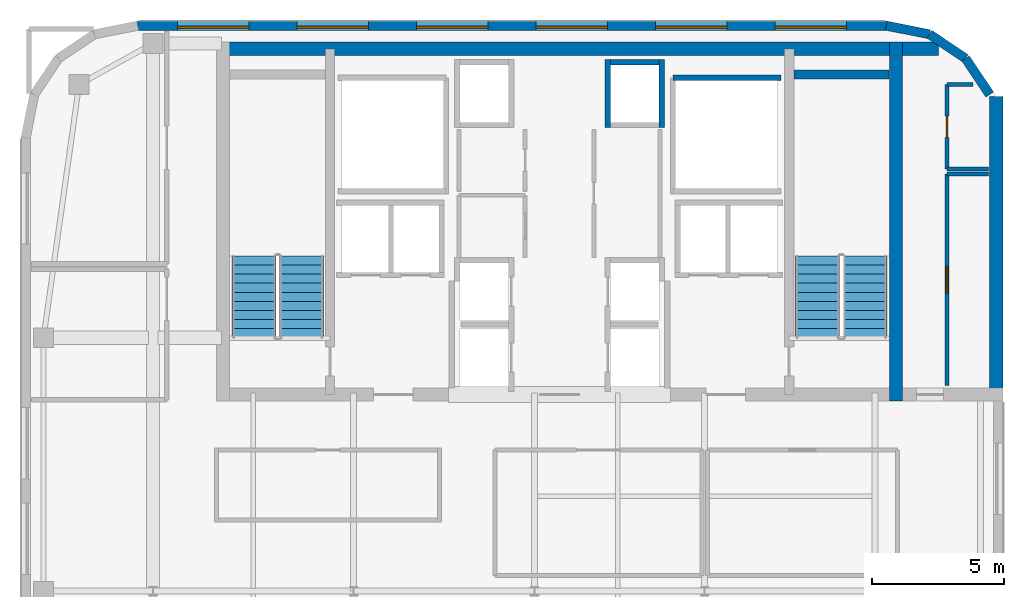
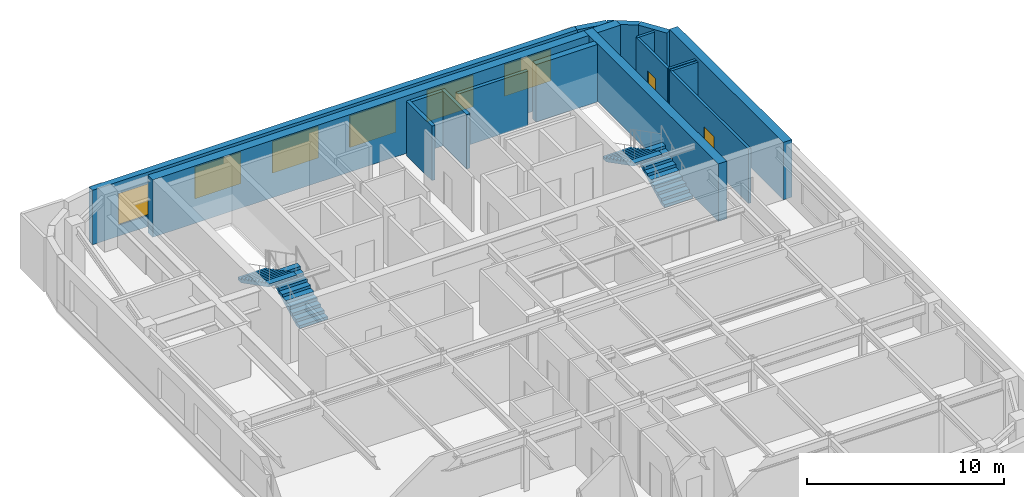
# One storey, part 7 of 11: 18 walls, 6 windows, 4 stair flights, 2 doors, 8 openings, 2 elements without a shape of their own.
"""IFC4 building model written with IfcOpenShell, lengths in metres."""

from ifc_helpers import new_model, si_unit, direction, frame, frame_2d, origin, place, context, subcontext, project, spatial, polyline, rectangle, outline, extrude, source, transform, mapped, material, layer, layer_set, type_object, type_shapes, element, fill, aggregate, save


model = new_model("IFC4")

# Units and contexts
model_context = context("Model", 3, precision=1e-05, world=origin(), true_north=direction((0.0, 1.0)))
body_context = subcontext(model_context, "Body", "Model", "MODEL_VIEW")
ifc_project = project(units=[si_unit("LENGTHUNIT", "METRE"), si_unit("AREAUNIT", "SQUARE_METRE"), si_unit("VOLUMEUNIT", "CUBIC_METRE"), si_unit("PLANEANGLEUNIT", "RADIAN"), si_unit("MASSUNIT", "GRAM", prefix="KILO")], contexts=[model_context])

# Site, building, storey
site_placement = place(None, origin())
site = spatial("IfcSite", under=ifc_project, at=site_placement, CompositionType="ELEMENT")
building_placement = place(site_placement, origin())
building = spatial("IfcBuilding", under=site, at=building_placement, Name="Tolvann Quenvar Hotel", CompositionType="ELEMENT")
storey_placement = place(building_placement, frame((0.0, 0.0, 234.550048828125)))
storey = spatial("IfcBuildingStorey", under=building, at=storey_placement, Name="L62", CompositionType="ELEMENT", Elevation=234.550048828125)

# Walls
ifc_material_1 = material(Name="Concrete N50 (50 MPa)", Category="concrete")
ifc_layer_1 = layer(ifc_material_1, 0.5)
ifc_layer_set_1 = layer_set([ifc_layer_1], Name="Concrete N50 (50 MPa)")
wall_type_1 = type_object("IfcWallType", Name="WALL_CORE_500", PredefinedType="SHEAR", material=ifc_layer_set_1)
wall_1_placement = place(storey_placement, frame((10.0, 44.949951171875, 0.0), z_axis=(0.0, 0.0, 1.0), x_axis=(1.0, 0.0, 0.0)))
element("IfcWall", 1, at=wall_1_placement, inside=storey, type_object=wall_type_1, Name="Rear Core N Shear Wall (L62)", PredefinedType="SHEAR", context=body_context, shape_type="SweptSolid", body=[
    extrude(rectangle(XDim=26.0, YDim=0.5, at=frame_2d((13.0, 0.0))), origin(), (0.0, 0.0, 1.0), 3.550048828125),
])
wall_2_placement = place(storey_placement, frame((35.75, 31.60009765625, 0.0), z_axis=(0.0, 0.0, 1.0), x_axis=(0.0, 1.0, 0.0)))
element("IfcWall", 2, at=wall_2_placement, inside=storey, type_object=wall_type_1, Name="Rear Core E Shear Wall (L62)", PredefinedType="SHEAR", context=body_context, shape_type="SweptSolid", body=[
    extrude(rectangle(XDim=13.599853515625, YDim=0.5, at=frame_2d((6.7998046875, 0.0))), origin(), (0.0, 0.0, 1.0), 3.550048828125),
])
wall_3_placement = place(storey_placement, frame((36.0, 44.949951171875, 0.0), z_axis=(0.0, 0.0, 1.0), x_axis=(1.0, 0.0, 0.0)))
element("IfcWall", 3, at=wall_3_placement, inside=storey, type_object=wall_type_1, Name="Core East Annex Shear Wall ANN-N (L62)", PredefinedType="SHEAR", context=body_context, shape_type="SweptSolid", body=[
    extrude(rectangle(XDim=1.35009765625, YDim=0.5, at=frame_2d((0.675048828125, 0.0))), origin(), (0.0, 0.0, 1.0), 3.550048828125),
])
wall_4_placement = place(storey_placement, frame((39.550048828125, 31.60009765625, 0.0), z_axis=(0.0, 0.0, 1.0), x_axis=(0.0, 1.0, 0.0)))
element("IfcWall", 4, at=wall_4_placement, inside=storey, type_object=wall_type_1, Name="Core East Annex Shear Wall ANN-E (L62)", PredefinedType="SHEAR", context=body_context, shape_type="SweptSolid", body=[
    extrude(rectangle(XDim=11.5498046875, YDim=0.5, at=frame_2d((5.77490234375, 0.0))), origin(), (0.0, 0.0, 1.0), 3.550048828125),
])
ifc_material_2 = material(Name="Concrete S65 (65 MPa)", Category="concrete")
ifc_layer_2 = layer(ifc_material_2, 0.35009765625)
ifc_layer_set_2 = layer_set([ifc_layer_2], Name="Concrete S65 (65 MPa)")
wall_type_2 = type_object("IfcWallType", Name="WALL_CORE_INT_350", PredefinedType="SHEAR", material=ifc_layer_set_2)
wall_5_placement = place(storey_placement, frame((31.8798828125, 43.97509765625, 0.0), z_axis=(0.0, 0.0, 1.0), x_axis=(1.0, 0.0, 0.0)))
element("IfcWall", 5, at=wall_5_placement, inside=storey, type_object=wall_type_2, Name="Core Stair North Closing Shear Wall STC2-N (L62)", PredefinedType="SHEAR", context=body_context, shape_type="SweptSolid", body=[
    extrude(rectangle(XDim=3.60009765625, YDim=0.35009765625, at=frame_2d((1.800048828125, 0.0))), origin(), (0.0, 0.0, 1.0), 3.550048828125),
])
ifc_material_3 = material(Name="Kiln-fired red and buff architectural clay brickwork and terracotta masonry", Category="masonry")
ifc_layer_3 = layer(ifc_material_3, 0.35009765625)
ifc_layer_set_3 = layer_set([ifc_layer_3], Name="Kiln-fired red and buff architectural clay brickwork and terracotta masonry")
wall_type_3 = type_object("IfcWallType", Name="WALL_EXT_BRICK_350", PredefinedType="SOLIDWALL", material=ifc_layer_set_3)
for number, where, z_axis, x_axis, name in (
    (6, (39.30029296875, 43.215576171875, 0.0), (0.0, 0.0, 1.0), (-0.555623290322, 0.831434158098, 0.0), "Exterior Chicago Brick Wall L62-E11"),
    (7, (38.385009765625, 44.585205078125, 0.0), (0.0, 0.0, 1.0), (-0.831502623162, 0.555520825599, 0.0), "Exterior Chicago Brick Wall L62-E12"),
):
    element("IfcWall", number, at=place(storey_placement, frame(where, z_axis=z_axis, x_axis=x_axis)), inside=storey, type_object=wall_type_3, Name=name, PredefinedType="SOLIDWALL", context=body_context, shape_type="SweptSolid", body=[
        extrude(rectangle(XDim=1.647216796875, YDim=0.35009765625, at=frame_2d((0.82373046875, 0.0))), origin(), (0.0, 0.0, 1.0), 3.369873046875),
    ])
wall_6_placement = place(storey_placement, frame((37.015380859375, 45.500244140625, 0.0), z_axis=(0.0, 0.0, 1.0), x_axis=(-0.980788844421, 0.195072403631, 0.0)))
element("IfcWall", 8, at=wall_6_placement, inside=storey, type_object=wall_type_3, Name="Exterior Chicago Brick Wall L62-E13", PredefinedType="SOLIDWALL", context=body_context, shape_type="SweptSolid", body=[
    extrude(rectangle(XDim=1.66455078125, YDim=0.35009765625, at=frame_2d((0.832275390625, 0.0))), origin(), (0.0, 0.0, 1.0), 3.369873046875),
])

# Wall, openings, windows
wall_7_placement = place(storey_placement, frame((35.3828125, 45.824951171875, 0.0), z_axis=(0.0, 0.0, 1.0), x_axis=(-1.0, 0.0, 0.0)))
wall_7 = element("IfcWall", 9, at=wall_7_placement, inside=storey, type_object=wall_type_3, Name="Exterior Chicago Brick Wall L62-E14", PredefinedType="SOLIDWALL", context=body_context, shape_type="SweptSolid", body=[
    extrude(rectangle(XDim=28.36572265625, YDim=0.35009765625, at=frame_2d((14.182861328125, 0.0))), origin(), (0.0, 0.0, 1.0), 3.369873046875),
])
opening_1_placement = place(wall_7_placement, frame((1.513916015625, 0.0, 0.679931640625)))
opening_1 = element("IfcOpeningElement", 10, at=opening_1_placement, cuts=wall_7, Name="Opening W-04", PredefinedType="OPENING", context=body_context, shape_type="SweptSolid", body=[
    extrude(rectangle(XDim=2.699951171875, YDim=1.949951171875, at=frame_2d((1.35009765625, 0.97509765625))), frame((0.0, 0.18505859375, 0.0), z_axis=(0.0, -1.0, 0.0), x_axis=(1.0, 0.0, 0.0)), (0.0, 0.0, 1.0), 0.3701171875),
])
opening_2_placement = place(wall_7_placement, frame((6.041015625, 0.0, 0.679931640625)))
opening_2 = element("IfcOpeningElement", 11, at=opening_2_placement, cuts=wall_7, Name="Opening W-04", PredefinedType="OPENING", context=body_context, shape_type="SweptSolid", body=[
    extrude(rectangle(XDim=2.699951171875, YDim=1.949951171875, at=frame_2d((1.35009765625, 0.97509765625))), frame((0.0, 0.18505859375, 0.0), z_axis=(0.0, -1.0, 0.0), x_axis=(1.0, 0.0, 0.0)), (0.0, 0.0, 1.0), 0.3701171875),
])
opening_3_placement = place(wall_7_placement, frame((10.569091796875, 0.0, 0.679931640625)))
opening_3 = element("IfcOpeningElement", 12, at=opening_3_placement, cuts=wall_7, Name="Opening W-04", PredefinedType="OPENING", context=body_context, shape_type="SweptSolid", body=[
    extrude(rectangle(XDim=2.699951171875, YDim=1.949951171875, at=frame_2d((1.35009765625, 0.97509765625))), frame((0.0, 0.18505859375, 0.0), z_axis=(0.0, -1.0, 0.0), x_axis=(1.0, 0.0, 0.0)), (0.0, 0.0, 1.0), 0.3701171875),
])
opening_4_placement = place(wall_7_placement, frame((15.096923828125, 0.0, 0.679931640625)))
opening_4 = element("IfcOpeningElement", 13, at=opening_4_placement, cuts=wall_7, Name="Opening W-04", PredefinedType="OPENING", context=body_context, shape_type="SweptSolid", body=[
    extrude(rectangle(XDim=2.699951171875, YDim=1.949951171875, at=frame_2d((1.35009765625, 0.97509765625))), frame((0.0, 0.18505859375, 0.0), z_axis=(0.0, -1.0, 0.0), x_axis=(1.0, 0.0, 0.0)), (0.0, 0.0, 1.0), 0.3701171875),
])
opening_5_placement = place(wall_7_placement, frame((19.6240234375, 0.0, 0.679931640625)))
opening_5 = element("IfcOpeningElement", 14, at=opening_5_placement, cuts=wall_7, Name="Opening W-04", PredefinedType="OPENING", context=body_context, shape_type="SweptSolid", body=[
    extrude(rectangle(XDim=2.699951171875, YDim=1.949951171875, at=frame_2d((1.35009765625, 0.97509765625))), frame((0.0, 0.18505859375, 0.0), z_axis=(0.0, -1.0, 0.0), x_axis=(1.0, 0.0, 0.0)), (0.0, 0.0, 1.0), 0.3701171875),
])
opening_6_placement = place(wall_7_placement, frame((24.152099609375, 0.0, 0.679931640625)))
opening_6 = element("IfcOpeningElement", 15, at=opening_6_placement, cuts=wall_7, Name="Opening W-04", PredefinedType="OPENING", context=body_context, shape_type="SweptSolid", body=[
    extrude(rectangle(XDim=2.699951171875, YDim=1.949951171875, at=frame_2d((1.35009765625, 0.97509765625))), frame((0.0, 0.18505859375, 0.0), z_axis=(0.0, -1.0, 0.0), x_axis=(1.0, 0.0, 0.0)), (0.0, 0.0, 1.0), 0.3701171875),
])
ifc_material_4 = material(Name="Thermally broken bronze-anodised aluminium frame with double low-E glazing", Category="aluminium")
window_type = type_object("IfcWindowType", Name="WIN_STE_2700x2150", PartitioningType="TRIPLE_PANEL_HORIZONTAL", PredefinedType="WINDOW", material=ifc_material_4)
shared_shape_1 = source(origin(), body_context, "Body", "SweptSolid", [
    extrude(rectangle(XDim=2.699951171875, YDim=1.949951171875, at=frame_2d((1.35009765625, 0.97509765625))), frame((0.0, 0.090087890625, 0.0), z_axis=(0.0, -1.0, 0.0), x_axis=(1.0, 0.0, 0.0)), (0.0, 0.0, 1.0), 0.06005859375),
])
type_shapes(window_type, [shared_shape_1])
window_1_placement = place(opening_1_placement, origin())
window_1 = element("IfcWindow", 16, at=window_1_placement, inside=storey, type_object=window_type, Name="Chicago Window W-04 (EW-L62-E14-W01)", OverallHeight=1.949951171875, OverallWidth=2.699951171875, PartitioningType="TRIPLE_PANEL_HORIZONTAL", PredefinedType="WINDOW", context=body_context, shape_type="MappedRepresentation", body=[
    mapped(shared_shape_1, transform((0.0, 0.0, 0.0), x_axis=(1.0, 0.0, 0.0), y_axis=(0.0, 1.0, 0.0), z_axis=(0.0, 0.0, 1.0), scale=1.0)),
])
fill(opening_1, window_1)
window_2_placement = place(opening_2_placement, origin())
window_2 = element("IfcWindow", 17, at=window_2_placement, inside=storey, type_object=window_type, Name="Chicago Window W-04 (EW-L62-E14-W02)", OverallHeight=1.949951171875, OverallWidth=2.699951171875, PartitioningType="TRIPLE_PANEL_HORIZONTAL", PredefinedType="WINDOW", context=body_context, shape_type="MappedRepresentation", body=[
    mapped(shared_shape_1, transform((0.0, 0.0, 0.0), x_axis=(1.0, 0.0, 0.0), y_axis=(0.0, 1.0, 0.0), z_axis=(0.0, 0.0, 1.0), scale=1.0)),
])
fill(opening_2, window_2)
window_3_placement = place(opening_3_placement, origin())
window_3 = element("IfcWindow", 18, at=window_3_placement, inside=storey, type_object=window_type, Name="Chicago Window W-04 (EW-L62-E14-W03)", OverallHeight=1.949951171875, OverallWidth=2.699951171875, PartitioningType="TRIPLE_PANEL_HORIZONTAL", PredefinedType="WINDOW", context=body_context, shape_type="MappedRepresentation", body=[
    mapped(shared_shape_1, transform((0.0, 0.0, 0.0), x_axis=(1.0, 0.0, 0.0), y_axis=(0.0, 1.0, 0.0), z_axis=(0.0, 0.0, 1.0), scale=1.0)),
])
fill(opening_3, window_3)
window_4_placement = place(opening_4_placement, origin())
window_4 = element("IfcWindow", 19, at=window_4_placement, inside=storey, type_object=window_type, Name="Chicago Window W-04 (EW-L62-E14-W04)", OverallHeight=1.949951171875, OverallWidth=2.699951171875, PartitioningType="TRIPLE_PANEL_HORIZONTAL", PredefinedType="WINDOW", context=body_context, shape_type="MappedRepresentation", body=[
    mapped(shared_shape_1, transform((0.0, 0.0, 0.0), x_axis=(1.0, 0.0, 0.0), y_axis=(0.0, 1.0, 0.0), z_axis=(0.0, 0.0, 1.0), scale=1.0)),
])
fill(opening_4, window_4)
window_5_placement = place(opening_5_placement, origin())
window_5 = element("IfcWindow", 20, at=window_5_placement, inside=storey, type_object=window_type, Name="Chicago Window W-04 (EW-L62-E14-W05)", OverallHeight=1.949951171875, OverallWidth=2.699951171875, PartitioningType="TRIPLE_PANEL_HORIZONTAL", PredefinedType="WINDOW", context=body_context, shape_type="MappedRepresentation", body=[
    mapped(shared_shape_1, transform((0.0, 0.0, 0.0), x_axis=(1.0, 0.0, 0.0), y_axis=(0.0, 1.0, 0.0), z_axis=(0.0, 0.0, 1.0), scale=1.0)),
])
fill(opening_5, window_5)
window_6_placement = place(opening_6_placement, origin())
window_6 = element("IfcWindow", 21, at=window_6_placement, inside=storey, type_object=window_type, Name="Chicago Window W-04 (EW-L62-E14-W06)", OverallHeight=1.949951171875, OverallWidth=2.699951171875, PartitioningType="TRIPLE_PANEL_HORIZONTAL", PredefinedType="WINDOW", context=body_context, shape_type="MappedRepresentation", body=[
    mapped(shared_shape_1, transform((0.0, 0.0, 0.0), x_axis=(1.0, 0.0, 0.0), y_axis=(0.0, 1.0, 0.0), z_axis=(0.0, 0.0, 1.0), scale=1.0)),
])
fill(opening_6, window_6)

# Wall
ifc_material_5 = material(Name="Acoustic twin-stud fire-rated gypsum plasterboard partition")
ifc_layer_4 = layer(ifc_material_5, 0.14990234375)
ifc_layer_set_4 = layer_set([ifc_layer_4], Name="Acoustic twin-stud fire-rated gypsum plasterboard partition")
wall_type_4 = type_object("IfcWallType", Name="WALL_PART_SUITE_150", PredefinedType="PARTITIONING", material=ifc_layer_set_4)
wall_8_placement = place(storey_placement, frame((37.679931640625, 40.199951171875, 0.0), z_axis=(0.0, 0.0, 1.0), x_axis=(1.0, 0.0, 0.0)))
element("IfcWall", 22, at=wall_8_placement, inside=storey, type_object=wall_type_4, Name="Interior Partition PT-SPC-L62-RECPL-1-N", PredefinedType="PARTITIONING", context=body_context, shape_type="SweptSolid", body=[
    extrude(rectangle(XDim=1.565185546875, YDim=0.14990234375, at=frame_2d((0.78271484375, 0.0))), origin(), (0.0, 0.0, 1.0), 3.369873046875),
])

# Wall, opening, door
wall_9_placement = place(storey_placement, frame((37.679931640625, 32.199951171875, 0.0), z_axis=(0.0, 0.0, 1.0), x_axis=(0.0, 1.0, 0.0)))
wall_9 = element("IfcWall", 23, at=wall_9_placement, inside=storey, type_object=wall_type_4, Name="Interior Partition PT-SPC-L62-RECPL-1-W", PredefinedType="PARTITIONING", context=body_context, shape_type="SweptSolid", body=[
    extrude(rectangle(XDim=8.0, YDim=0.14990234375, at=frame_2d((4.0, 0.0))), origin(), (0.0, 0.0, 1.0), 3.369873046875),
])
opening_7_placement = place(wall_9_placement, frame((3.489990234375, 0.0, 0.0)))
opening_7 = element("IfcOpeningElement", 24, at=opening_7_placement, cuts=wall_9, Name="Opening HD-01", PredefinedType="OPENING", context=body_context, shape_type="SweptSolid", body=[
    extrude(rectangle(XDim=1.02001953125, YDim=2.030029296875, at=frame_2d((0.510009765625, 1.01513671875))), frame((0.0, 0.0849609375, 0.0), z_axis=(0.0, -1.0, 0.0), x_axis=(1.0, 0.0, 0.0)), (0.0, 0.0, 1.0), 0.169921875),
])
ifc_material_6 = material(Name="Pressed galvanised steel fire-rated door set", Category="steel")
door_type_1 = type_object("IfcDoorType", Name="DOOR_BOH_1020", OperationType="NOTDEFINED", PredefinedType="DOOR", material=ifc_material_6)
shared_shape_2 = source(origin(), body_context, "Body", "SweptSolid", [
    extrude(rectangle(XDim=1.02001953125, YDim=2.030029296875, at=frame_2d((0.510009765625, 1.01513671875))), frame((0.0, 0.02490234375, 0.0), z_axis=(0.0, -1.0, 0.0), x_axis=(1.0, 0.0, 0.0)), (0.0, 0.0, 1.0), 0.050048828125),
])
type_shapes(door_type_1, [shared_shape_2])
door_1_placement = place(opening_7_placement, origin())
door_1 = element("IfcDoor", 25, at=door_1_placement, inside=storey, type_object=door_type_1, Name="Interior Door DOOR-SPC-L62-RECPL-1", OperationType="SINGLE_SWING_LEFT", OverallHeight=2.030029296875, OverallWidth=1.02001953125, PredefinedType="DOOR", context=body_context, shape_type="MappedRepresentation", body=[
    mapped(shared_shape_2, transform((0.0, 0.0, 0.0), x_axis=(1.0, 0.0, 0.0), y_axis=(0.0, 1.0, 0.0), z_axis=(0.0, 0.0, 1.0), scale=1.0)),
])
fill(opening_7, door_1)

# Walls
wall_10_placement = place(storey_placement, frame((37.679931640625, 40.39990234375, 0.0), z_axis=(0.0, 0.0, 1.0), x_axis=(1.0, 0.0, 0.0)))
element("IfcWall", 26, at=wall_10_placement, inside=storey, type_object=wall_type_4, Name="Interior Partition PT-SPC-L62-CSE-1-S", PredefinedType="PARTITIONING", context=body_context, shape_type="SweptSolid", body=[
    extrude(rectangle(XDim=1.565185546875, YDim=0.14990234375, at=frame_2d((0.78271484375, 0.0))), origin(), (0.0, 0.0, 1.0), 3.369873046875),
])
wall_11_placement = place(storey_placement, frame((37.679931640625, 43.60009765625, 0.0), z_axis=(0.0, 0.0, 1.0), x_axis=(1.0, 0.0, 0.0)))
element("IfcWall", 27, at=wall_11_placement, inside=storey, type_object=wall_type_4, Name="Interior Partition PT-SPC-L62-CSE-1-N", PredefinedType="PARTITIONING", context=body_context, shape_type="SweptSolid", body=[
    extrude(rectangle(XDim=0.988037109375, YDim=0.14990234375, at=frame_2d((0.494140625, 0.0))), origin(), (0.0, 0.0, 1.0), 3.369873046875),
])

# Wall, opening, door
wall_12_placement = place(storey_placement, frame((37.679931640625, 40.39990234375, 0.0), z_axis=(0.0, 0.0, 1.0), x_axis=(0.0, 1.0, 0.0)))
wall_12 = element("IfcWall", 28, at=wall_12_placement, inside=storey, type_object=wall_type_4, Name="Interior Partition PT-SPC-L62-CSE-1-W", PredefinedType="PARTITIONING", context=body_context, shape_type="SweptSolid", body=[
    extrude(rectangle(XDim=3.2001953125, YDim=0.14990234375, at=frame_2d((1.60009765625, 0.0))), origin(), (0.0, 0.0, 1.0), 3.369873046875),
])
opening_8_placement = place(wall_12_placement, frame((1.18994140625, 0.0, 0.0)))
opening_8 = element("IfcOpeningElement", 29, at=opening_8_placement, cuts=wall_12, Name="Opening HD-02", PredefinedType="OPENING", context=body_context, shape_type="SweptSolid", body=[
    extrude(rectangle(XDim=0.820068359375, YDim=2.010009765625, at=frame_2d((0.41015625, 1.0048828125))), frame((0.0, 0.0849609375, 0.0), z_axis=(0.0, -1.0, 0.0), x_axis=(1.0, 0.0, 0.0)), (0.0, 0.0, 1.0), 0.169921875),
])
door_type_2 = type_object("IfcDoorType", Name="DOOR_STORE_820", OperationType="NOTDEFINED", PredefinedType="DOOR", material=ifc_material_6)
shared_shape_3 = source(origin(), body_context, "Body", "SweptSolid", [
    extrude(rectangle(XDim=0.820068359375, YDim=2.010009765625, at=frame_2d((0.41015625, 1.0048828125))), frame((0.0, 0.02490234375, 0.0), z_axis=(0.0, -1.0, 0.0), x_axis=(1.0, 0.0, 0.0)), (0.0, 0.0, 1.0), 0.050048828125),
])
type_shapes(door_type_2, [shared_shape_3])
door_2_placement = place(opening_8_placement, origin())
door_2 = element("IfcDoor", 30, at=door_2_placement, inside=storey, type_object=door_type_2, Name="Interior Door DOOR-SPC-L62-CSE-1", OperationType="SINGLE_SWING_RIGHT", OverallHeight=2.010009765625, OverallWidth=0.820068359375, PredefinedType="DOOR", context=body_context, shape_type="MappedRepresentation", body=[
    mapped(shared_shape_3, transform((0.0, 0.0, 0.0), x_axis=(1.0, 0.0, 0.0), y_axis=(0.0, 1.0, 0.0), z_axis=(0.0, 0.0, 1.0), scale=1.0)),
])
fill(opening_8, door_2)

# Walls
ifc_material_7 = material(Name="Concrete N40 (40 MPa)", Category="concrete")
ifc_layer_5 = layer(ifc_material_7, 0.199951171875)
ifc_layer_set_5 = layer_set([ifc_layer_5], Name="Concrete N40 (40 MPa)")
wall_type_5 = type_object("IfcWallType", Name="WALL_SHAFT_200", PredefinedType="SOLIDWALL", material=ifc_layer_set_5)
wall_13_placement = place(storey_placement, frame((27.300048828125, 43.85009765625, 0.0), z_axis=(0.0, 0.0, 1.0), x_axis=(1.0, 0.0, 0.0)))
element("IfcWall", 31, at=wall_13_placement, inside=storey, type_object=wall_type_5, Name="Service Riser E Shaft Wall N (L62)", PredefinedType="SOLIDWALL", context=body_context, shape_type="SweptSolid", body=[
    extrude(rectangle(XDim=4.099853515625, YDim=0.199951171875, at=frame_2d((2.0498046875, 0.0))), origin(), (0.0, 0.0, 1.0), 3.369873046875),
])
for number, where, z_axis, x_axis, name in (
    (32, (24.830078125, 41.9599609375, 0.0), (0.0, 0.0, 1.0), (0.0, 1.0, 0.0), "Lift Bank W24.9C2 Hoistway Front Wall (L62)"),
    (33, (26.8701171875, 41.9599609375, 0.0), (0.0, 0.0, 1.0), (0.0, 1.0, 0.0), "Lift Bank W24.9C2 Hoistway Rear Wall (L62)"),
):
    element("IfcWall", number, at=place(storey_placement, frame(where, z_axis=z_axis, x_axis=x_axis)), inside=storey, type_object=wall_type_5, Name=name, PredefinedType="SOLIDWALL", context=body_context, shape_type="SweptSolid", body=[
        extrude(rectangle(XDim=2.580078125, YDim=0.199951171875, at=frame_2d((1.2900390625, 0.0))), origin(), (0.0, 0.0, 1.0), 3.369873046875),
    ])
wall_14_placement = place(storey_placement, frame((24.929931640625, 44.43994140625, 0.0), z_axis=(0.0, 0.0, 1.0), x_axis=(1.0, 0.0, 0.0)))
element("IfcWall", 34, at=wall_14_placement, inside=storey, type_object=wall_type_5, Name="Lift Bank W24.9C2 Hoistway Cheek Wall 2 (L62)", PredefinedType="SOLIDWALL", context=body_context, shape_type="SweptSolid", body=[
    extrude(rectangle(XDim=1.840087890625, YDim=0.199951171875, at=frame_2d((0.919921875, 0.0))), origin(), (0.0, 0.0, 1.0), 3.369873046875),
])

# Stair, stair flights
stair_type = type_object("IfcStairType", Name="STAIR", PredefinedType="HALF_TURN_STAIR", material=ifc_material_7)
stair_1_placement = place(storey_placement, origin())
stair_1 = element("IfcStair", 35, at=stair_1_placement, inside=storey, type_object=stair_type, Name="L62 ST-C1", PredefinedType="HALF_TURN_STAIR")
stair_flight_type = type_object("IfcStairFlightType", Name="STAIR_FLIGHT", PredefinedType="STRAIGHT", material=ifc_material_7)
stair_flight_1_placement = place(storey_placement, frame((13.22509765625, 34.0, 0.0), z_axis=(0.0, 0.0, 1.0), x_axis=(0.0, 1.0, 0.0)))
stair_flight_1 = element("IfcStairFlight", 36, at=stair_flight_1_placement, type_object=stair_flight_type, Name="ST-C1 flight 1", NumberOfRisers=10, NumberOfTreads=9, PredefinedType="STRAIGHT", RiserHeight=0.1775, TreadLength=0.345, context=body_context, shape_type="SweptSolid", body=[
    extrude(outline(polyline([(0.0, 0.0), (0.0, 0.177490234375), (0.344970703125, 0.177490234375), (0.344970703125, 0.35498046875), (0.68994140625, 0.35498046875), (0.68994140625, 0.532470703125), (1.034912109375, 0.532470703125), (1.034912109375, 0.7099609375), (1.3798828125, 0.7099609375), (1.3798828125, 0.887451171875), (1.72509765625, 0.887451171875), (1.72509765625, 1.06494140625), (2.070068359375, 1.06494140625), (2.070068359375, 1.242431640625), (2.4150390625, 1.242431640625), (2.4150390625, 1.419921875), (2.760009765625, 1.419921875), (2.760009765625, 1.597412109375), (3.10498046875, 1.597412109375), (3.10498046875, 1.77490234375), (3.10498046875, 1.428955078125), (0.32763671875, 0.0), (0.0, 0.0)])), frame((0.0, 0.824951171875, 0.0), z_axis=(0.0, -1.0, 0.0), x_axis=(1.0, 0.0, 0.0)), (0.0, 0.0, 1.0), 1.64990234375),
])
stair_flight_2_placement = place(storey_placement, frame((11.425048828125, 37.10498046875, 1.77490234375), z_axis=(0.0, 0.0, 1.0), x_axis=(0.0, -1.0, 0.0)))
stair_flight_2 = element("IfcStairFlight", 37, at=stair_flight_2_placement, type_object=stair_flight_type, Name="ST-C1 flight 2", NumberOfRisers=10, NumberOfTreads=9, PredefinedType="STRAIGHT", RiserHeight=0.1775, TreadLength=0.345, context=body_context, shape_type="SweptSolid", body=[
    extrude(outline(polyline([(0.0, 0.0), (0.0, 0.177490234375), (0.344970703125, 0.177490234375), (0.344970703125, 0.35498046875), (0.68994140625, 0.35498046875), (0.68994140625, 0.532470703125), (1.034912109375, 0.532470703125), (1.034912109375, 0.7099609375), (1.3798828125, 0.7099609375), (1.3798828125, 0.887451171875), (1.72509765625, 0.887451171875), (1.72509765625, 1.06494140625), (2.070068359375, 1.06494140625), (2.070068359375, 1.242431640625), (2.4150390625, 1.242431640625), (2.4150390625, 1.419921875), (2.760009765625, 1.419921875), (2.760009765625, 1.597412109375), (3.10498046875, 1.597412109375), (3.10498046875, 1.77490234375), (3.10498046875, 1.428955078125), (0.32763671875, 0.0), (0.0, 0.0)])), frame((0.0, 0.824951171875, 0.0), z_axis=(0.0, -1.0, 0.0), x_axis=(1.0, 0.0, 0.0)), (0.0, 0.0, 1.0), 1.64990234375),
])
aggregate(stair_1, [stair_flight_1, stair_flight_2])

stair_2_placement = place(storey_placement, origin())
stair_2 = element("IfcStair", 38, at=stair_2_placement, inside=storey, type_object=stair_type, Name="L62 ST-C2", PredefinedType="HALF_TURN_STAIR")
stair_flight_3_placement = place(storey_placement, frame((34.574951171875, 34.0, 0.0), z_axis=(0.0, 0.0, 1.0), x_axis=(0.0, 1.0, 0.0)))
stair_flight_3 = element("IfcStairFlight", 39, at=stair_flight_3_placement, type_object=stair_flight_type, Name="ST-C2 flight 1", NumberOfRisers=10, NumberOfTreads=9, PredefinedType="STRAIGHT", RiserHeight=0.1775, TreadLength=0.345, context=body_context, shape_type="SweptSolid", body=[
    extrude(outline(polyline([(0.0, 0.0), (0.0, 0.177490234375), (0.344970703125, 0.177490234375), (0.344970703125, 0.35498046875), (0.68994140625, 0.35498046875), (0.68994140625, 0.532470703125), (1.034912109375, 0.532470703125), (1.034912109375, 0.7099609375), (1.3798828125, 0.7099609375), (1.3798828125, 0.887451171875), (1.72509765625, 0.887451171875), (1.72509765625, 1.06494140625), (2.070068359375, 1.06494140625), (2.070068359375, 1.242431640625), (2.4150390625, 1.242431640625), (2.4150390625, 1.419921875), (2.760009765625, 1.419921875), (2.760009765625, 1.597412109375), (3.10498046875, 1.597412109375), (3.10498046875, 1.77490234375), (3.10498046875, 1.428955078125), (0.32763671875, 0.0), (0.0, 0.0)])), frame((0.0, 0.824951171875, 0.0), z_axis=(0.0, -1.0, 0.0), x_axis=(1.0, 0.0, 0.0)), (0.0, 0.0, 1.0), 1.64990234375),
])
stair_flight_4_placement = place(storey_placement, frame((32.77490234375, 37.10498046875, 1.77490234375), z_axis=(0.0, 0.0, 1.0), x_axis=(0.0, -1.0, 0.0)))
stair_flight_4 = element("IfcStairFlight", 40, at=stair_flight_4_placement, type_object=stair_flight_type, Name="ST-C2 flight 2", NumberOfRisers=10, NumberOfTreads=9, PredefinedType="STRAIGHT", RiserHeight=0.1775, TreadLength=0.345, context=body_context, shape_type="SweptSolid", body=[
    extrude(outline(polyline([(0.0, 0.0), (0.0, 0.177490234375), (0.344970703125, 0.177490234375), (0.344970703125, 0.35498046875), (0.68994140625, 0.35498046875), (0.68994140625, 0.532470703125), (1.034912109375, 0.532470703125), (1.034912109375, 0.7099609375), (1.3798828125, 0.7099609375), (1.3798828125, 0.887451171875), (1.72509765625, 0.887451171875), (1.72509765625, 1.06494140625), (2.070068359375, 1.06494140625), (2.070068359375, 1.242431640625), (2.4150390625, 1.242431640625), (2.4150390625, 1.419921875), (2.760009765625, 1.419921875), (2.760009765625, 1.597412109375), (3.10498046875, 1.597412109375), (3.10498046875, 1.77490234375), (3.10498046875, 1.428955078125), (0.32763671875, 0.0), (0.0, 0.0)])), frame((0.0, 0.824951171875, 0.0), z_axis=(0.0, -1.0, 0.0), x_axis=(1.0, 0.0, 0.0)), (0.0, 0.0, 1.0), 1.64990234375),
])
aggregate(stair_2, [stair_flight_3, stair_flight_4])

save(model, "model.ifc")
